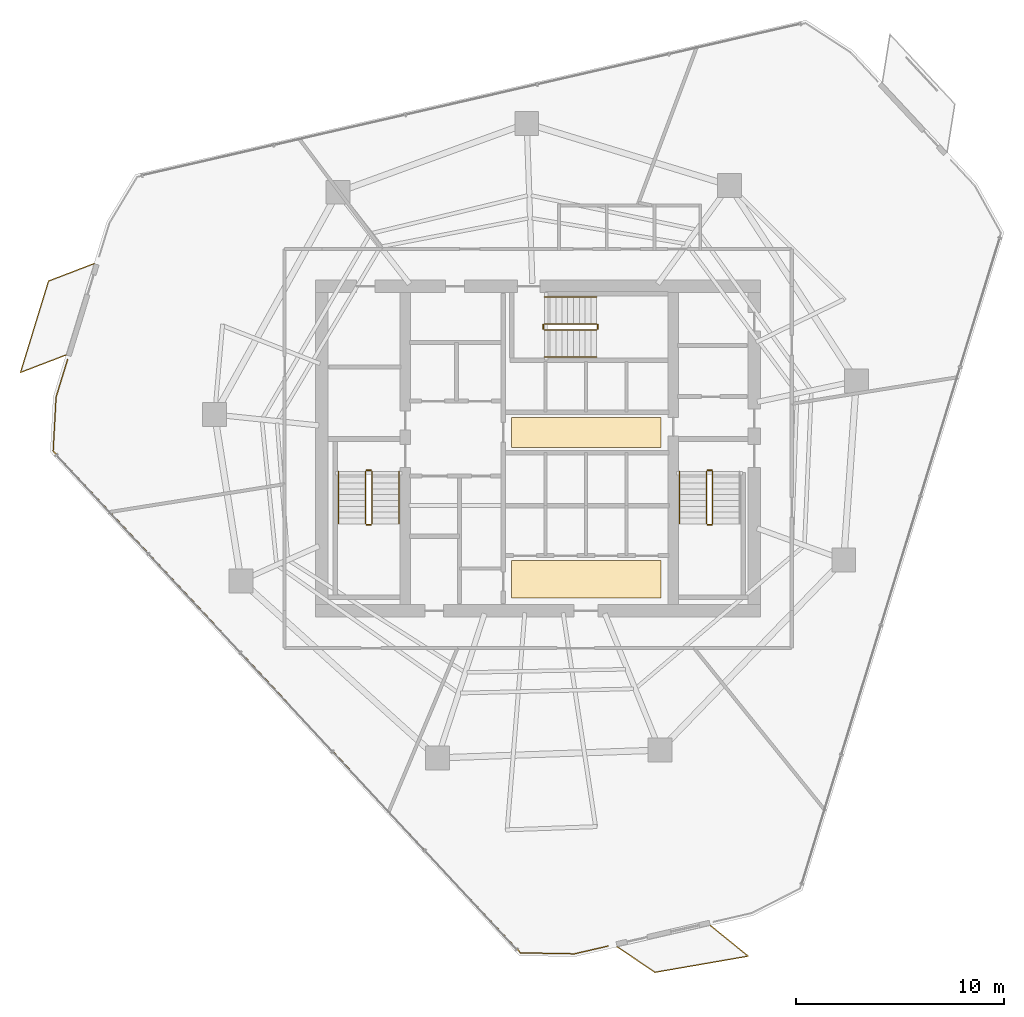
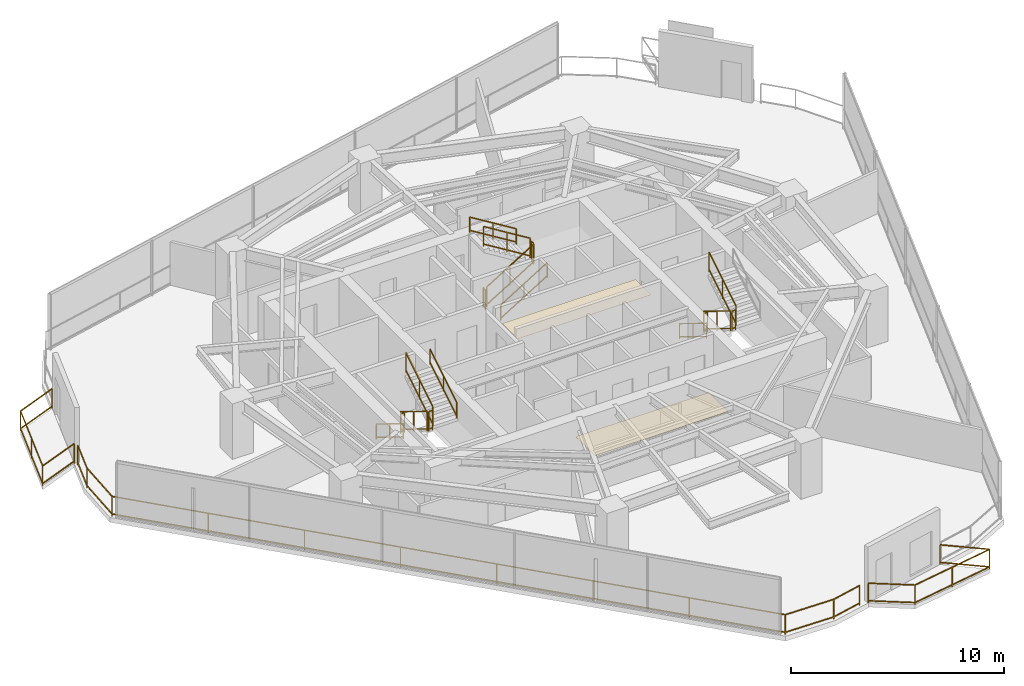
# One storey, part 22 of 23: 20 railings, 2 coverings.
"""IFC4 building model written with IfcOpenShell, lengths in metres."""

from ifc_helpers import new_model, si_unit, direction, frame, origin, origin_2d, place, context, subcontext, project, spatial, rectangle, extrude, material, layer, layer_set, type_object, element, save


model = new_model("IFC4")

# Units and contexts
model_context = context("Model", 3, precision=1e-05, world=origin(), true_north=direction((0.0, 1.0)))
body_context = subcontext(model_context, "Body", "Model", "MODEL_VIEW")
ifc_project = project(units=[si_unit("LENGTHUNIT", "METRE"), si_unit("AREAUNIT", "SQUARE_METRE"), si_unit("VOLUMEUNIT", "CUBIC_METRE"), si_unit("PLANEANGLEUNIT", "RADIAN"), si_unit("MASSUNIT", "GRAM", prefix="KILO")], contexts=[model_context])

# Site, building, storey
site_placement = place(None, origin())
site = spatial("IfcSite", under=ifc_project, at=site_placement, CompositionType="ELEMENT")
building_placement = place(site_placement, origin())
building = spatial("IfcBuilding", under=site, at=building_placement, Name="Qarnah Convention Tower", CompositionType="ELEMENT")
storey_placement = place(building_placement, frame((0.0, 0.0, 114.300048828125)))
storey = spatial("IfcBuildingStorey", under=building, at=storey_placement, Name="L30", CompositionType="ELEMENT", Elevation=114.300048828125)

# Coverings
ifc_material_1 = material(Name="Mineral fibre acoustic ceiling")
ifc_layer_1 = layer(ifc_material_1, 0.02001953125)
ifc_layer_set_1 = layer_set([ifc_layer_1], Name="Mineral fibre acoustic ceiling")
covering_type_1 = type_object("IfcCoveringType", Name="COV-CEIL-20", PredefinedType="CEILING", material=ifc_layer_set_1)
covering_1_placement = place(storey_placement, frame((39.52001953125, 27.179931640625, 2.2900390625), z_axis=(0.0, 0.0, 1.0), x_axis=(1.0, 0.0, 0.0)))
element("IfcCovering", 1, at=covering_1_placement, inside=storey, type_object=covering_type_1, Name="L30 lift lobby acoustic ceiling", PredefinedType="CEILING", context=body_context, shape_type="SweptSolid", body=[
    extrude(rectangle(XDim=7.199951171875, YDim=1.449951171875, at=origin_2d()), origin(), (0.0, 0.0, 1.0), 0.02001953125),
])
ifc_material_2 = material(Name="Porcelain stone floor tile", Category="masonry")
ifc_layer_2 = layer(ifc_material_2, 0.02001953125)
ifc_layer_set_2 = layer_set([ifc_layer_2], Name="Porcelain stone floor tile")
covering_type_2 = type_object("IfcCoveringType", Name="COV-FLOOR-20", PredefinedType="FLOORING", material=ifc_layer_set_2)
covering_2_placement = place(storey_placement, frame((39.52001953125, 20.1201171875, 0.0), z_axis=(0.0, 0.0, 1.0), x_axis=(1.0, 0.0, 0.0)))
element("IfcCovering", 2, at=covering_2_placement, inside=storey, type_object=covering_type_2, Name="L30 lift lobby porcelain stone flooring", PredefinedType="FLOORING", context=body_context, shape_type="SweptSolid", body=[
    extrude(rectangle(XDim=7.199951171875, YDim=1.800048828125, at=origin_2d()), origin(), (0.0, 0.0, 1.0), 0.02001953125),
])

# Railings
ifc_material_3 = material(Name="Black anodised aluminium", Category="aluminium")
railing_type_1 = type_object("IfcRailingType", Name="RL-EXT-GUARD-1150", PredefinedType="GUARDRAIL", material=ifc_material_3)
railing_1_placement = place(storey_placement, frame((40.554931640625, 2.4609375, 0.0)))
element("IfcRailing", 3, at=railing_1_placement, inside=storey, type_object=railing_type_1, Name="L30 slab-edge perimeter safety guard 03", PredefinedType="GUARDRAIL", context=body_context, shape_type="SweptSolid", body=[
    extrude(rectangle(XDim=0.048095703125, YDim=0.048095703125, at=origin_2d()), frame((0.0, 0.0, 1.1259765625), z_axis=(-0.974448483558, -0.224611114799, 0.0), x_axis=(0.224611114799, -0.974448483558, 0.0)), (0.0, 0.0, 1.0), 1.651123046875),
    extrude(rectangle(XDim=0.048095703125, YDim=0.048095703125, at=origin_2d()), frame((0.0, 0.0, 0.1201171875), z_axis=(-0.974448483558, -0.224611114799, 0.0), x_axis=(0.224611114799, -0.974448483558, 0.0)), (0.0, 0.0, 1.0), 1.651123046875),
    extrude(rectangle(XDim=0.048095703125, YDim=0.048095703125, at=origin_2d()), frame((-1.60888671875, -0.370849609375, 1.1259765625), z_axis=(-0.999836643952, 0.018074440791, 0.0), x_axis=(-0.018074440791, -0.999836643952, 0.0)), (0.0, 0.0, 1.0), 2.593505859375),
    extrude(rectangle(XDim=0.048095703125, YDim=0.048095703125, at=origin_2d()), frame((-1.60888671875, -0.370849609375, 0.1201171875), z_axis=(-0.999836643952, 0.018074440791, 0.0), x_axis=(-0.018074440791, -0.999836643952, 0.0)), (0.0, 0.0, 1.0), 2.593505859375),
    extrude(rectangle(XDim=0.048095703125, YDim=0.048095703125, at=origin_2d()), frame((-4.201904296875, -0.323974609375, 1.1259765625), z_axis=(-0.681488097459, 0.731829196618, 0.0), x_axis=(-0.731829196618, -0.681488097459, 0.0)), (0.0, 0.0, 1.0), 32.99267578125),
    extrude(rectangle(XDim=0.048095703125, YDim=0.048095703125, at=origin_2d()), frame((-4.201904296875, -0.323974609375, 0.1201171875), z_axis=(-0.681488097459, 0.731829196618, 0.0), x_axis=(-0.731829196618, -0.681488097459, 0.0)), (0.0, 0.0, 1.0), 32.99267578125),
    extrude(rectangle(XDim=0.048095703125, YDim=0.048095703125, at=origin_2d()), frame((-26.68603515625, 23.821044921875, 1.1259765625), z_axis=(0.053295200501, 0.998578800898, 0.0), x_axis=(-0.998578800898, 0.053295200501, 0.0)), (0.0, 0.0, 1.0), 2.5927734375),
    extrude(rectangle(XDim=0.048095703125, YDim=0.048095703125, at=origin_2d()), frame((-26.68603515625, 23.821044921875, 0.1201171875), z_axis=(0.053295200501, 0.998578800898, 0.0), x_axis=(-0.998578800898, 0.053295200501, 0.0)), (0.0, 0.0, 1.0), 2.5927734375),
    extrude(rectangle(XDim=0.048095703125, YDim=0.048095703125, at=origin_2d()), frame((-26.5478515625, 26.41015625, 1.1259765625), z_axis=(0.29294351439, 0.956129749238, 0.0), x_axis=(-0.956129749238, 0.29294351439, 0.0)), (0.0, 0.0, 1.0), 1.90771484375),
    extrude(rectangle(XDim=0.048095703125, YDim=0.048095703125, at=origin_2d()), frame((-26.5478515625, 26.41015625, 0.1201171875), z_axis=(0.29294351439, 0.956129749238, 0.0), x_axis=(-0.956129749238, 0.29294351439, 0.0)), (0.0, 0.0, 1.0), 1.90771484375),
    extrude(rectangle(XDim=0.0419921875, YDim=0.0419921875, at=origin_2d()), origin(), (0.0, 0.0, 1.0), 1.101806640625),
    extrude(rectangle(XDim=0.0419921875, YDim=0.0419921875, at=origin_2d()), frame((-1.60888671875, -0.370849609375, 0.0)), (0.0, 0.0, 1.0), 1.101806640625),
    extrude(rectangle(XDim=0.0419921875, YDim=0.0419921875, at=origin_2d()), frame((-4.201904296875, -0.323974609375, 0.0)), (0.0, 0.0, 1.0), 1.101806640625),
    extrude(rectangle(XDim=0.0419921875, YDim=0.0419921875, at=origin_2d()), frame((-7.413818359375, 3.125244140625, 0.0)), (0.0, 0.0, 1.0), 1.101806640625),
    extrude(rectangle(XDim=0.0419921875, YDim=0.0419921875, at=origin_2d()), frame((-10.6259765625, 6.57470703125, 0.0)), (0.0, 0.0, 1.0), 1.101806640625),
    extrude(rectangle(XDim=0.0419921875, YDim=0.0419921875, at=origin_2d()), frame((-13.837890625, 10.02392578125, 0.0)), (0.0, 0.0, 1.0), 1.101806640625),
    extrude(rectangle(XDim=0.0419921875, YDim=0.0419921875, at=origin_2d()), frame((-17.050048828125, 13.47314453125, 0.0)), (0.0, 0.0, 1.0), 1.101806640625),
    extrude(rectangle(XDim=0.0419921875, YDim=0.0419921875, at=origin_2d()), frame((-20.261962890625, 16.92236328125, 0.0)), (0.0, 0.0, 1.0), 1.101806640625),
    extrude(rectangle(XDim=0.0419921875, YDim=0.0419921875, at=origin_2d()), frame((-23.47412109375, 20.371826171875, 0.0)), (0.0, 0.0, 1.0), 1.101806640625),
    extrude(rectangle(XDim=0.0419921875, YDim=0.0419921875, at=origin_2d()), frame((-26.68603515625, 23.821044921875, 0.0)), (0.0, 0.0, 1.0), 1.101806640625),
    extrude(rectangle(XDim=0.0419921875, YDim=0.0419921875, at=origin_2d()), frame((-26.5478515625, 26.41015625, 0.0)), (0.0, 0.0, 1.0), 1.101806640625),
    extrude(rectangle(XDim=0.0419921875, YDim=0.0419921875, at=origin_2d()), frame((-25.989013671875, 28.234130859375, 0.0)), (0.0, 0.0, 1.0), 1.101806640625),
])
railing_2_placement = place(storey_placement, frame((14.487060546875, 30.89990234375, 0.0)))
element("IfcRailing", 4, at=railing_2_placement, inside=storey, type_object=railing_type_1, Name="L30 balcony safety guard BAL-L30-C2", PredefinedType="GUARDRAIL", context=body_context, shape_type="SweptSolid", body=[
    extrude(rectangle(XDim=0.048095703125, YDim=0.048095703125, at=origin_2d()), frame((0.0, 0.0, 1.1259765625), z_axis=(-0.933813880499, -0.357759187985, 0.0), x_axis=(0.357759187985, -0.933813880499, 0.0)), (0.0, 0.0, 1.0), 2.347412109375),
    extrude(rectangle(XDim=0.048095703125, YDim=0.048095703125, at=origin_2d()), frame((0.0, 0.0, 0.1201171875), z_axis=(-0.933813880499, -0.357759187985, 0.0), x_axis=(0.357759187985, -0.933813880499, 0.0)), (0.0, 0.0, 1.0), 2.347412109375),
    extrude(rectangle(XDim=0.048095703125, YDim=0.048095703125, at=origin_2d()), frame((-2.192138671875, -0.83984375, 1.1259765625), z_axis=(0.293078700058, 0.956088319964, 0.0), x_axis=(-0.956088319964, 0.293078700058, 0.0)), (0.0, 0.0, 1.0), 4.599853515625),
    extrude(rectangle(XDim=0.048095703125, YDim=0.048095703125, at=origin_2d()), frame((-2.192138671875, -0.83984375, 0.1201171875), z_axis=(0.293078700058, 0.956088319964, 0.0), x_axis=(-0.956088319964, 0.293078700058, 0.0)), (0.0, 0.0, 1.0), 4.599853515625),
    extrude(rectangle(XDim=0.048095703125, YDim=0.048095703125, at=origin_2d()), frame((-0.843994140625, 3.55810546875, 1.1259765625), z_axis=(0.933765813802, 0.357884625228, 0.0), x_axis=(-0.357884625228, 0.933765813802, 0.0)), (0.0, 0.0, 1.0), 2.347412109375),
    extrude(rectangle(XDim=0.048095703125, YDim=0.048095703125, at=origin_2d()), frame((-0.843994140625, 3.55810546875, 0.1201171875), z_axis=(0.933765813802, 0.357884625228, 0.0), x_axis=(-0.357884625228, 0.933765813802, 0.0)), (0.0, 0.0, 1.0), 2.347412109375),
    extrude(rectangle(XDim=0.0419921875, YDim=0.0419921875, at=origin_2d()), origin(), (0.0, 0.0, 1.0), 1.101806640625),
    extrude(rectangle(XDim=0.0419921875, YDim=0.0419921875, at=origin_2d()), frame((-2.192138671875, -0.83984375, 0.0)), (0.0, 0.0, 1.0), 1.101806640625),
    extrude(rectangle(XDim=0.0419921875, YDim=0.0419921875, at=origin_2d()), frame((-1.51806640625, 1.359130859375, 0.0)), (0.0, 0.0, 1.0), 1.101806640625),
    extrude(rectangle(XDim=0.0419921875, YDim=0.0419921875, at=origin_2d()), frame((-0.843994140625, 3.55810546875, 0.0)), (0.0, 0.0, 1.0), 1.101806640625),
    extrude(rectangle(XDim=0.0419921875, YDim=0.0419921875, at=origin_2d()), frame((1.347900390625, 4.398193359375, 0.0)), (0.0, 0.0, 1.0), 1.101806640625),
])
railing_3_placement = place(storey_placement, frame((45.486083984375, 3.45703125, 0.0)))
element("IfcRailing", 5, at=railing_3_placement, inside=storey, type_object=railing_type_1, Name="L30 balcony safety guard BAL-L30-C3", PredefinedType="GUARDRAIL", context=body_context, shape_type="SweptSolid", body=[
    extrude(rectangle(XDim=0.048095703125, YDim=0.048095703125, at=origin_2d()), frame((0.0, 0.0, 1.1259765625), z_axis=(0.77673375445, -0.629829083718, 0.0), x_axis=(0.629829083718, 0.77673375445, 0.0)), (0.0, 0.0, 1.0), 2.34814453125),
    extrude(rectangle(XDim=0.048095703125, YDim=0.048095703125, at=origin_2d()), frame((0.0, 0.0, 0.1201171875), z_axis=(0.77673375445, -0.629829083718, 0.0), x_axis=(0.629829083718, 0.77673375445, 0.0)), (0.0, 0.0, 1.0), 2.34814453125),
    extrude(rectangle(XDim=0.048095703125, YDim=0.048095703125, at=origin_2d()), frame((1.823974609375, -1.47900390625, 1.1259765625), z_axis=(-0.985271159277, -0.170999247651, 0.0), x_axis=(0.170999247651, -0.985271159277, 0.0)), (0.0, 0.0, 1.0), 4.55029296875),
    extrude(rectangle(XDim=0.048095703125, YDim=0.048095703125, at=origin_2d()), frame((1.823974609375, -1.47900390625, 0.1201171875), z_axis=(-0.985271159277, -0.170999247651, 0.0), x_axis=(0.170999247651, -0.985271159277, 0.0)), (0.0, 0.0, 1.0), 4.55029296875),
    extrude(rectangle(XDim=0.048095703125, YDim=0.048095703125, at=origin_2d()), frame((-2.6591796875, -2.257080078125, 1.1259765625), z_axis=(-0.830130762896, 0.557568754947, 0.0), x_axis=(-0.557568754947, -0.830130762896, 0.0)), (0.0, 0.0, 1.0), 2.197265625),
    extrude(rectangle(XDim=0.048095703125, YDim=0.048095703125, at=origin_2d()), frame((-2.6591796875, -2.257080078125, 0.1201171875), z_axis=(-0.830130762896, 0.557568754947, 0.0), x_axis=(-0.557568754947, -0.830130762896, 0.0)), (0.0, 0.0, 1.0), 2.197265625),
    extrude(rectangle(XDim=0.0419921875, YDim=0.0419921875, at=origin_2d()), origin(), (0.0, 0.0, 1.0), 1.101806640625),
    extrude(rectangle(XDim=0.0419921875, YDim=0.0419921875, at=origin_2d()), frame((1.823974609375, -1.47900390625, 0.0)), (0.0, 0.0, 1.0), 1.101806640625),
    extrude(rectangle(XDim=0.0419921875, YDim=0.0419921875, at=origin_2d()), frame((-0.41748046875, -1.8681640625, 0.0)), (0.0, 0.0, 1.0), 1.101806640625),
    extrude(rectangle(XDim=0.0419921875, YDim=0.0419921875, at=origin_2d()), frame((-2.6591796875, -2.257080078125, 0.0)), (0.0, 0.0, 1.0), 1.101806640625),
    extrude(rectangle(XDim=0.0419921875, YDim=0.0419921875, at=origin_2d()), frame((-4.483154296875, -1.031982421875, 0.0)), (0.0, 0.0, 1.0), 1.101806640625),
])
ifc_material_4 = material(Name="Structural steel S355JR", Category="steel")
railing_type_2 = type_object("IfcRailingType", Name="RL-STAIR-GUARD-1150", PredefinedType="GUARDRAIL", material=ifc_material_4)
railing_4_placement = place(storey_placement, frame((28.89990234375, 25.300048828125, 0.17236328125)))
element("IfcRailing", 6, at=railing_4_placement, inside=storey, type_object=railing_type_2, Name="L30 ST-1 stair guard 1", PredefinedType="GUARDRAIL", context=body_context, shape_type="SweptSolid", body=[
    extrude(rectangle(XDim=0.048095703125, YDim=0.048095703125, at=origin_2d()), frame((0.0, 0.0, 1.1259765625), z_axis=(0.0, -0.851400495292, 0.524516154772), x_axis=(1.0, 0.0, 0.0)), (0.0, 0.0, 1.0), 2.9599609375),
    extrude(rectangle(XDim=0.048095703125, YDim=0.048095703125, at=origin_2d()), frame((0.0, 0.0, 0.1201171875), z_axis=(0.0, -0.851400495292, 0.524516154772), x_axis=(1.0, 0.0, 0.0)), (0.0, 0.0, 1.0), 2.9599609375),
    extrude(rectangle(XDim=0.0419921875, YDim=0.0419921875, at=origin_2d()), origin(), (0.0, 0.0, 1.0), 1.101806640625),
    extrude(rectangle(XDim=0.0419921875, YDim=0.0419921875, at=origin_2d()), frame((0.0, -1.260009765625, 0.7763671875)), (0.0, 0.0, 1.0), 1.101806640625),
    extrude(rectangle(XDim=0.0419921875, YDim=0.0419921875, at=origin_2d()), frame((0.0, -2.52001953125, 1.552490234375)), (0.0, 0.0, 1.0), 1.101806640625),
])
railing_5_placement = place(storey_placement, frame((28.949951171875, 22.72998046875, 1.724853515625)))
element("IfcRailing", 7, at=railing_5_placement, inside=storey, type_object=railing_type_2, Name="L30 ST-1 stair guard 2", PredefinedType="GUARDRAIL", context=body_context, shape_type="SweptSolid", body=[
    extrude(rectangle(XDim=0.048095703125, YDim=0.048095703125, at=origin_2d()), frame((0.0, 0.0, 1.1259765625), z_axis=(1.0, 0.0, 0.0), x_axis=(0.0, 1.0, 0.0)), (0.0, 0.0, 1.0), 0.199951171875),
    extrude(rectangle(XDim=0.048095703125, YDim=0.048095703125, at=origin_2d()), frame((0.0, 0.0, 0.1201171875), z_axis=(1.0, 0.0, 0.0), x_axis=(0.0, 1.0, 0.0)), (0.0, 0.0, 1.0), 0.199951171875),
    extrude(rectangle(XDim=0.0419921875, YDim=0.0419921875, at=origin_2d()), origin(), (0.0, 0.0, 1.0), 1.101806640625),
    extrude(rectangle(XDim=0.0419921875, YDim=0.0419921875, at=origin_2d()), frame((0.199951171875, 0.0, 0.0)), (0.0, 0.0, 1.0), 1.101806640625),
])
railing_6_placement = place(storey_placement, frame((29.199951171875, 22.780029296875, 1.8974609375)))
element("IfcRailing", 8, at=railing_6_placement, inside=storey, type_object=railing_type_2, Name="L30 ST-1 stair guard 3", PredefinedType="GUARDRAIL", context=body_context, shape_type="SweptSolid", body=[
    extrude(rectangle(XDim=0.048095703125, YDim=0.048095703125, at=origin_2d()), frame((0.0, 0.0, 1.1259765625), z_axis=(0.0, 0.851400495292, 0.524516154772), x_axis=(-1.0, 0.0, 0.0)), (0.0, 0.0, 1.0), 2.9599609375),
    extrude(rectangle(XDim=0.048095703125, YDim=0.048095703125, at=origin_2d()), frame((0.0, 0.0, 0.1201171875), z_axis=(0.0, 0.851400495292, 0.524516154772), x_axis=(-1.0, 0.0, 0.0)), (0.0, 0.0, 1.0), 2.9599609375),
    extrude(rectangle(XDim=0.0419921875, YDim=0.0419921875, at=origin_2d()), origin(), (0.0, 0.0, 1.0), 1.101806640625),
    extrude(rectangle(XDim=0.0419921875, YDim=0.0419921875, at=origin_2d()), frame((0.0, 1.260009765625, 0.7763671875)), (0.0, 0.0, 1.0), 1.101806640625),
    extrude(rectangle(XDim=0.0419921875, YDim=0.0419921875, at=origin_2d()), frame((0.0, 2.52001953125, 1.552490234375)), (0.0, 0.0, 1.0), 1.101806640625),
])
railing_7_placement = place(storey_placement, frame((28.949951171875, 25.35009765625, 0.0)))
element("IfcRailing", 9, at=railing_7_placement, inside=storey, type_object=railing_type_2, Name="L30 ST-1 stair guard 4", PredefinedType="GUARDRAIL", context=body_context, shape_type="SweptSolid", body=[
    extrude(rectangle(XDim=0.048095703125, YDim=0.048095703125, at=origin_2d()), frame((0.0, 0.0, 1.1259765625), z_axis=(1.0, 0.0, 0.0), x_axis=(0.0, 1.0, 0.0)), (0.0, 0.0, 1.0), 0.199951171875),
    extrude(rectangle(XDim=0.048095703125, YDim=0.048095703125, at=origin_2d()), frame((0.0, 0.0, 0.1201171875), z_axis=(1.0, 0.0, 0.0), x_axis=(0.0, 1.0, 0.0)), (0.0, 0.0, 1.0), 0.199951171875),
    extrude(rectangle(XDim=0.0419921875, YDim=0.0419921875, at=origin_2d()), origin(), (0.0, 0.0, 1.0), 1.101806640625),
    extrude(rectangle(XDim=0.0419921875, YDim=0.0419921875, at=origin_2d()), frame((0.199951171875, 0.0, 0.0)), (0.0, 0.0, 1.0), 1.101806640625),
])
railing_8_placement = place(storey_placement, frame((45.300048828125, 25.300048828125, 0.17236328125)))
element("IfcRailing", 10, at=railing_8_placement, inside=storey, type_object=railing_type_2, Name="L30 ST-2 stair guard 1", PredefinedType="GUARDRAIL", context=body_context, shape_type="SweptSolid", body=[
    extrude(rectangle(XDim=0.048095703125, YDim=0.048095703125, at=origin_2d()), frame((0.0, 0.0, 1.1259765625), z_axis=(0.0, -0.851400495292, 0.524516154772), x_axis=(1.0, 0.0, 0.0)), (0.0, 0.0, 1.0), 2.9599609375),
    extrude(rectangle(XDim=0.048095703125, YDim=0.048095703125, at=origin_2d()), frame((0.0, 0.0, 0.1201171875), z_axis=(0.0, -0.851400495292, 0.524516154772), x_axis=(1.0, 0.0, 0.0)), (0.0, 0.0, 1.0), 2.9599609375),
    extrude(rectangle(XDim=0.0419921875, YDim=0.0419921875, at=origin_2d()), origin(), (0.0, 0.0, 1.0), 1.101806640625),
    extrude(rectangle(XDim=0.0419921875, YDim=0.0419921875, at=origin_2d()), frame((0.0, -1.260009765625, 0.7763671875)), (0.0, 0.0, 1.0), 1.101806640625),
    extrude(rectangle(XDim=0.0419921875, YDim=0.0419921875, at=origin_2d()), frame((0.0, -2.52001953125, 1.552490234375)), (0.0, 0.0, 1.0), 1.101806640625),
])
railing_9_placement = place(storey_placement, frame((45.35009765625, 22.72998046875, 1.724853515625)))
element("IfcRailing", 11, at=railing_9_placement, inside=storey, type_object=railing_type_2, Name="L30 ST-2 stair guard 2", PredefinedType="GUARDRAIL", context=body_context, shape_type="SweptSolid", body=[
    extrude(rectangle(XDim=0.048095703125, YDim=0.048095703125, at=origin_2d()), frame((0.0, 0.0, 1.1259765625), z_axis=(1.0, 0.0, 0.0), x_axis=(0.0, 1.0, 0.0)), (0.0, 0.0, 1.0), 0.199951171875),
    extrude(rectangle(XDim=0.048095703125, YDim=0.048095703125, at=origin_2d()), frame((0.0, 0.0, 0.1201171875), z_axis=(1.0, 0.0, 0.0), x_axis=(0.0, 1.0, 0.0)), (0.0, 0.0, 1.0), 0.199951171875),
    extrude(rectangle(XDim=0.0419921875, YDim=0.0419921875, at=origin_2d()), origin(), (0.0, 0.0, 1.0), 1.101806640625),
    extrude(rectangle(XDim=0.0419921875, YDim=0.0419921875, at=origin_2d()), frame((0.199951171875, 0.0, 0.0)), (0.0, 0.0, 1.0), 1.101806640625),
])
railing_10_placement = place(storey_placement, frame((45.60009765625, 22.780029296875, 1.8974609375)))
element("IfcRailing", 12, at=railing_10_placement, inside=storey, type_object=railing_type_2, Name="L30 ST-2 stair guard 3", PredefinedType="GUARDRAIL", context=body_context, shape_type="SweptSolid", body=[
    extrude(rectangle(XDim=0.048095703125, YDim=0.048095703125, at=origin_2d()), frame((0.0, 0.0, 1.1259765625), z_axis=(0.0, 0.851400495292, 0.524516154772), x_axis=(-1.0, 0.0, 0.0)), (0.0, 0.0, 1.0), 2.9599609375),
    extrude(rectangle(XDim=0.048095703125, YDim=0.048095703125, at=origin_2d()), frame((0.0, 0.0, 0.1201171875), z_axis=(0.0, 0.851400495292, 0.524516154772), x_axis=(-1.0, 0.0, 0.0)), (0.0, 0.0, 1.0), 2.9599609375),
    extrude(rectangle(XDim=0.0419921875, YDim=0.0419921875, at=origin_2d()), origin(), (0.0, 0.0, 1.0), 1.101806640625),
    extrude(rectangle(XDim=0.0419921875, YDim=0.0419921875, at=origin_2d()), frame((0.0, 1.260009765625, 0.7763671875)), (0.0, 0.0, 1.0), 1.101806640625),
    extrude(rectangle(XDim=0.0419921875, YDim=0.0419921875, at=origin_2d()), frame((0.0, 2.52001953125, 1.552490234375)), (0.0, 0.0, 1.0), 1.101806640625),
])
railing_11_placement = place(storey_placement, frame((45.35009765625, 25.35009765625, 0.0)))
element("IfcRailing", 13, at=railing_11_placement, inside=storey, type_object=railing_type_2, Name="L30 ST-2 stair guard 4", PredefinedType="GUARDRAIL", context=body_context, shape_type="SweptSolid", body=[
    extrude(rectangle(XDim=0.048095703125, YDim=0.048095703125, at=origin_2d()), frame((0.0, 0.0, 1.1259765625), z_axis=(1.0, 0.0, 0.0), x_axis=(0.0, 1.0, 0.0)), (0.0, 0.0, 1.0), 0.199951171875),
    extrude(rectangle(XDim=0.048095703125, YDim=0.048095703125, at=origin_2d()), frame((0.0, 0.0, 0.1201171875), z_axis=(1.0, 0.0, 0.0), x_axis=(0.0, 1.0, 0.0)), (0.0, 0.0, 1.0), 0.199951171875),
    extrude(rectangle(XDim=0.0419921875, YDim=0.0419921875, at=origin_2d()), origin(), (0.0, 0.0, 1.0), 1.101806640625),
    extrude(rectangle(XDim=0.0419921875, YDim=0.0419921875, at=origin_2d()), frame((0.199951171875, 0.0, 0.0)), (0.0, 0.0, 1.0), 1.101806640625),
])
railing_12_placement = place(storey_placement, frame((37.5, 32.10009765625, 0.17236328125)))
element("IfcRailing", 14, at=railing_12_placement, inside=storey, type_object=railing_type_2, Name="L30 ST-3 stair guard 1", PredefinedType="GUARDRAIL", context=body_context, shape_type="SweptSolid", body=[
    extrude(rectangle(XDim=0.048095703125, YDim=0.048095703125, at=origin_2d()), frame((0.0, 0.0, 1.1259765625), z_axis=(0.851400495292, 0.0, 0.524516154772), x_axis=(0.0, 1.0, 0.0)), (0.0, 0.0, 1.0), 2.9599609375),
    extrude(rectangle(XDim=0.048095703125, YDim=0.048095703125, at=origin_2d()), frame((0.0, 0.0, 0.1201171875), z_axis=(0.851400495292, 0.0, 0.524516154772), x_axis=(0.0, 1.0, 0.0)), (0.0, 0.0, 1.0), 2.9599609375),
    extrude(rectangle(XDim=0.0419921875, YDim=0.0419921875, at=origin_2d()), origin(), (0.0, 0.0, 1.0), 1.101806640625),
    extrude(rectangle(XDim=0.0419921875, YDim=0.0419921875, at=origin_2d()), frame((1.260009765625, 0.0, 0.7763671875)), (0.0, 0.0, 1.0), 1.101806640625),
    extrude(rectangle(XDim=0.0419921875, YDim=0.0419921875, at=origin_2d()), frame((2.52001953125, 0.0, 1.552490234375)), (0.0, 0.0, 1.0), 1.101806640625),
])
railing_13_placement = place(storey_placement, frame((40.070068359375, 32.14990234375, 1.724853515625)))
element("IfcRailing", 15, at=railing_13_placement, inside=storey, type_object=railing_type_2, Name="L30 ST-3 stair guard 2", PredefinedType="GUARDRAIL", context=body_context, shape_type="SweptSolid", body=[
    extrude(rectangle(XDim=0.048095703125, YDim=0.048095703125, at=origin_2d()), frame((0.0, 0.0, 1.1259765625), z_axis=(0.0, 1.0, 0.0), x_axis=(-1.0, 0.0, 0.0)), (0.0, 0.0, 1.0), 0.2001953125),
    extrude(rectangle(XDim=0.048095703125, YDim=0.048095703125, at=origin_2d()), frame((0.0, 0.0, 0.1201171875), z_axis=(0.0, 1.0, 0.0), x_axis=(-1.0, 0.0, 0.0)), (0.0, 0.0, 1.0), 0.2001953125),
    extrude(rectangle(XDim=0.0419921875, YDim=0.0419921875, at=origin_2d()), origin(), (0.0, 0.0, 1.0), 1.101806640625),
    extrude(rectangle(XDim=0.0419921875, YDim=0.0419921875, at=origin_2d()), frame((0.0, 0.2001953125, 0.0)), (0.0, 0.0, 1.0), 1.101806640625),
])
railing_14_placement = place(storey_placement, frame((40.02001953125, 32.39990234375, 1.8974609375)))
element("IfcRailing", 16, at=railing_14_placement, inside=storey, type_object=railing_type_2, Name="L30 ST-3 stair guard 3", PredefinedType="GUARDRAIL", context=body_context, shape_type="SweptSolid", body=[
    extrude(rectangle(XDim=0.048095703125, YDim=0.048095703125, at=origin_2d()), frame((0.0, 0.0, 1.1259765625), z_axis=(-0.851400495292, 0.0, 0.524516154772), x_axis=(0.0, -1.0, 0.0)), (0.0, 0.0, 1.0), 2.9599609375),
    extrude(rectangle(XDim=0.048095703125, YDim=0.048095703125, at=origin_2d()), frame((0.0, 0.0, 0.1201171875), z_axis=(-0.851400495292, 0.0, 0.524516154772), x_axis=(0.0, -1.0, 0.0)), (0.0, 0.0, 1.0), 2.9599609375),
    extrude(rectangle(XDim=0.0419921875, YDim=0.0419921875, at=origin_2d()), origin(), (0.0, 0.0, 1.0), 1.101806640625),
    extrude(rectangle(XDim=0.0419921875, YDim=0.0419921875, at=origin_2d()), frame((-1.260009765625, 0.0, 0.7763671875)), (0.0, 0.0, 1.0), 1.101806640625),
    extrude(rectangle(XDim=0.0419921875, YDim=0.0419921875, at=origin_2d()), frame((-2.52001953125, 0.0, 1.552490234375)), (0.0, 0.0, 1.0), 1.101806640625),
])
railing_15_placement = place(storey_placement, frame((37.449951171875, 32.14990234375, 0.0)))
element("IfcRailing", 17, at=railing_15_placement, inside=storey, type_object=railing_type_2, Name="L30 ST-3 stair guard 4", PredefinedType="GUARDRAIL", context=body_context, shape_type="SweptSolid", body=[
    extrude(rectangle(XDim=0.048095703125, YDim=0.048095703125, at=origin_2d()), frame((0.0, 0.0, 1.1259765625), z_axis=(0.0, 1.0, 0.0), x_axis=(-1.0, 0.0, 0.0)), (0.0, 0.0, 1.0), 0.2001953125),
    extrude(rectangle(XDim=0.048095703125, YDim=0.048095703125, at=origin_2d()), frame((0.0, 0.0, 0.1201171875), z_axis=(0.0, 1.0, 0.0), x_axis=(-1.0, 0.0, 0.0)), (0.0, 0.0, 1.0), 0.2001953125),
    extrude(rectangle(XDim=0.0419921875, YDim=0.0419921875, at=origin_2d()), origin(), (0.0, 0.0, 1.0), 1.101806640625),
    extrude(rectangle(XDim=0.0419921875, YDim=0.0419921875, at=origin_2d()), frame((0.0, 0.2001953125, 0.0)), (0.0, 0.0, 1.0), 1.101806640625),
])
railing_type_3 = type_object("IfcRailingType", Name="RL-STAIR-HAND-900", PredefinedType="HANDRAIL", material=ifc_material_4)
railing_16_placement = place(storey_placement, frame((27.60009765625, 25.300048828125, 0.17236328125)))
element("IfcRailing", 18, at=railing_16_placement, inside=storey, type_object=railing_type_3, Name="L30 ST-1 stair handrail 1", PredefinedType="HANDRAIL", context=body_context, shape_type="SweptSolid", body=[
    extrude(rectangle(XDim=0.048095703125, YDim=0.048095703125, at=origin_2d()), frame((0.0, 0.0, 0.8759765625), z_axis=(0.0, -0.851400495292, 0.524516154772), x_axis=(1.0, 0.0, 0.0)), (0.0, 0.0, 1.0), 2.9599609375),
    extrude(rectangle(XDim=0.048095703125, YDim=0.048095703125, at=origin_2d()), frame((0.0, 0.0, 0.1201171875), z_axis=(0.0, -0.851400495292, 0.524516154772), x_axis=(1.0, 0.0, 0.0)), (0.0, 0.0, 1.0), 2.9599609375),
    extrude(rectangle(XDim=0.0419921875, YDim=0.0419921875, at=origin_2d()), origin(), (0.0, 0.0, 1.0), 0.851806640625),
    extrude(rectangle(XDim=0.0419921875, YDim=0.0419921875, at=origin_2d()), frame((0.0, -1.260009765625, 0.7763671875)), (0.0, 0.0, 1.0), 0.851806640625),
    extrude(rectangle(XDim=0.0419921875, YDim=0.0419921875, at=origin_2d()), frame((0.0, -2.52001953125, 1.552490234375)), (0.0, 0.0, 1.0), 0.851806640625),
])
railing_17_placement = place(storey_placement, frame((30.5, 22.780029296875, 1.8974609375)))
element("IfcRailing", 19, at=railing_17_placement, inside=storey, type_object=railing_type_3, Name="L30 ST-1 stair handrail 2", PredefinedType="HANDRAIL", context=body_context, shape_type="SweptSolid", body=[
    extrude(rectangle(XDim=0.048095703125, YDim=0.048095703125, at=origin_2d()), frame((0.0, 0.0, 0.8759765625), z_axis=(0.0, 0.851400495292, 0.524516154772), x_axis=(-1.0, 0.0, 0.0)), (0.0, 0.0, 1.0), 2.9599609375),
    extrude(rectangle(XDim=0.048095703125, YDim=0.048095703125, at=origin_2d()), frame((0.0, 0.0, 0.1201171875), z_axis=(0.0, 0.851400495292, 0.524516154772), x_axis=(-1.0, 0.0, 0.0)), (0.0, 0.0, 1.0), 2.9599609375),
    extrude(rectangle(XDim=0.0419921875, YDim=0.0419921875, at=origin_2d()), origin(), (0.0, 0.0, 1.0), 0.851806640625),
    extrude(rectangle(XDim=0.0419921875, YDim=0.0419921875, at=origin_2d()), frame((0.0, 1.260009765625, 0.7763671875)), (0.0, 0.0, 1.0), 0.851806640625),
    extrude(rectangle(XDim=0.0419921875, YDim=0.0419921875, at=origin_2d()), frame((0.0, 2.52001953125, 1.552490234375)), (0.0, 0.0, 1.0), 0.851806640625),
])
railing_18_placement = place(storey_placement, frame((44.0, 25.300048828125, 0.17236328125)))
element("IfcRailing", 20, at=railing_18_placement, inside=storey, type_object=railing_type_3, Name="L30 ST-2 stair handrail 1", PredefinedType="HANDRAIL", context=body_context, shape_type="SweptSolid", body=[
    extrude(rectangle(XDim=0.048095703125, YDim=0.048095703125, at=origin_2d()), frame((0.0, 0.0, 0.8759765625), z_axis=(0.0, -0.851400495292, 0.524516154772), x_axis=(1.0, 0.0, 0.0)), (0.0, 0.0, 1.0), 2.9599609375),
    extrude(rectangle(XDim=0.048095703125, YDim=0.048095703125, at=origin_2d()), frame((0.0, 0.0, 0.1201171875), z_axis=(0.0, -0.851400495292, 0.524516154772), x_axis=(1.0, 0.0, 0.0)), (0.0, 0.0, 1.0), 2.9599609375),
    extrude(rectangle(XDim=0.0419921875, YDim=0.0419921875, at=origin_2d()), origin(), (0.0, 0.0, 1.0), 0.851806640625),
    extrude(rectangle(XDim=0.0419921875, YDim=0.0419921875, at=origin_2d()), frame((0.0, -1.260009765625, 0.7763671875)), (0.0, 0.0, 1.0), 0.851806640625),
    extrude(rectangle(XDim=0.0419921875, YDim=0.0419921875, at=origin_2d()), frame((0.0, -2.52001953125, 1.552490234375)), (0.0, 0.0, 1.0), 0.851806640625),
])
railing_19_placement = place(storey_placement, frame((37.5, 30.800048828125, 0.17236328125)))
element("IfcRailing", 21, at=railing_19_placement, inside=storey, type_object=railing_type_3, Name="L30 ST-3 stair handrail 1", PredefinedType="HANDRAIL", context=body_context, shape_type="SweptSolid", body=[
    extrude(rectangle(XDim=0.048095703125, YDim=0.048095703125, at=origin_2d()), frame((0.0, 0.0, 0.8759765625), z_axis=(0.851400495292, 0.0, 0.524516154772), x_axis=(0.0, 1.0, 0.0)), (0.0, 0.0, 1.0), 2.9599609375),
    extrude(rectangle(XDim=0.048095703125, YDim=0.048095703125, at=origin_2d()), frame((0.0, 0.0, 0.1201171875), z_axis=(0.851400495292, 0.0, 0.524516154772), x_axis=(0.0, 1.0, 0.0)), (0.0, 0.0, 1.0), 2.9599609375),
    extrude(rectangle(XDim=0.0419921875, YDim=0.0419921875, at=origin_2d()), origin(), (0.0, 0.0, 1.0), 0.851806640625),
    extrude(rectangle(XDim=0.0419921875, YDim=0.0419921875, at=origin_2d()), frame((1.260009765625, 0.0, 0.7763671875)), (0.0, 0.0, 1.0), 0.851806640625),
    extrude(rectangle(XDim=0.0419921875, YDim=0.0419921875, at=origin_2d()), frame((2.52001953125, 0.0, 1.552490234375)), (0.0, 0.0, 1.0), 0.851806640625),
])
railing_20_placement = place(storey_placement, frame((40.02001953125, 33.699951171875, 1.8974609375)))
element("IfcRailing", 22, at=railing_20_placement, inside=storey, type_object=railing_type_3, Name="L30 ST-3 stair handrail 2", PredefinedType="HANDRAIL", context=body_context, shape_type="SweptSolid", body=[
    extrude(rectangle(XDim=0.048095703125, YDim=0.048095703125, at=origin_2d()), frame((0.0, 0.0, 0.8759765625), z_axis=(-0.851400495292, 0.0, 0.524516154772), x_axis=(0.0, -1.0, 0.0)), (0.0, 0.0, 1.0), 2.9599609375),
    extrude(rectangle(XDim=0.048095703125, YDim=0.048095703125, at=origin_2d()), frame((0.0, 0.0, 0.1201171875), z_axis=(-0.851400495292, 0.0, 0.524516154772), x_axis=(0.0, -1.0, 0.0)), (0.0, 0.0, 1.0), 2.9599609375),
    extrude(rectangle(XDim=0.0419921875, YDim=0.0419921875, at=origin_2d()), origin(), (0.0, 0.0, 1.0), 0.851806640625),
    extrude(rectangle(XDim=0.0419921875, YDim=0.0419921875, at=origin_2d()), frame((-1.260009765625, 0.0, 0.7763671875)), (0.0, 0.0, 1.0), 0.851806640625),
    extrude(rectangle(XDim=0.0419921875, YDim=0.0419921875, at=origin_2d()), frame((-2.52001953125, 0.0, 1.552490234375)), (0.0, 0.0, 1.0), 0.851806640625),
])

save(model, "model.ifc")
